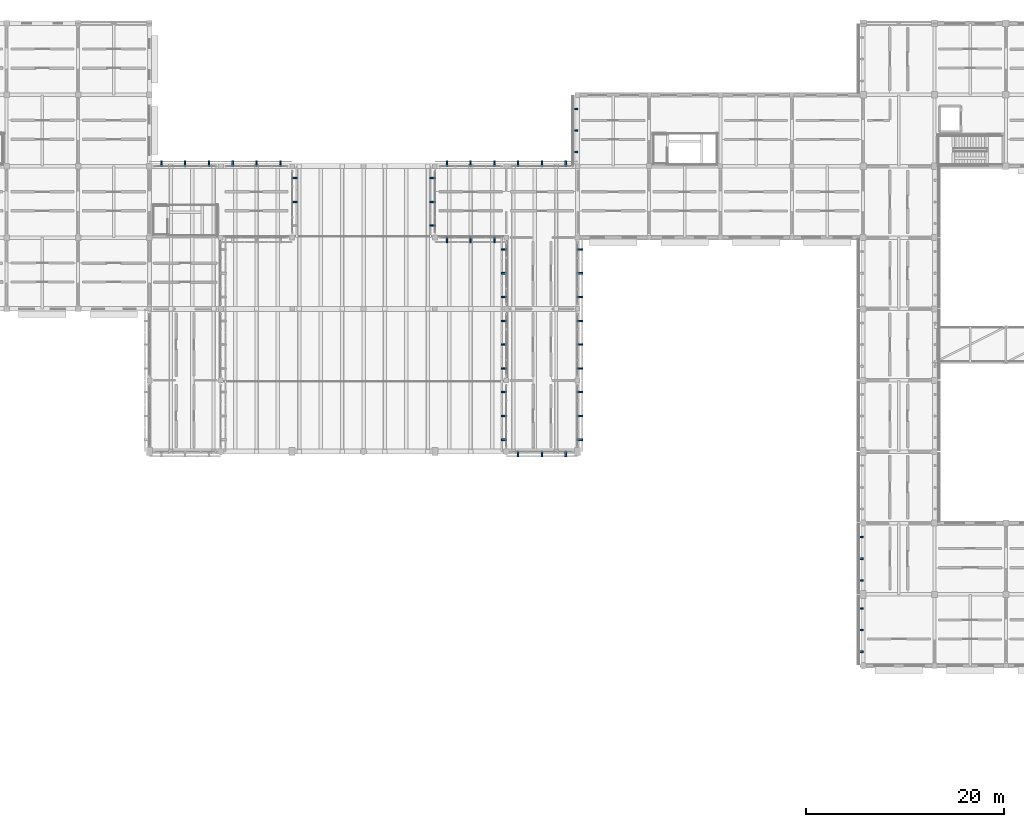
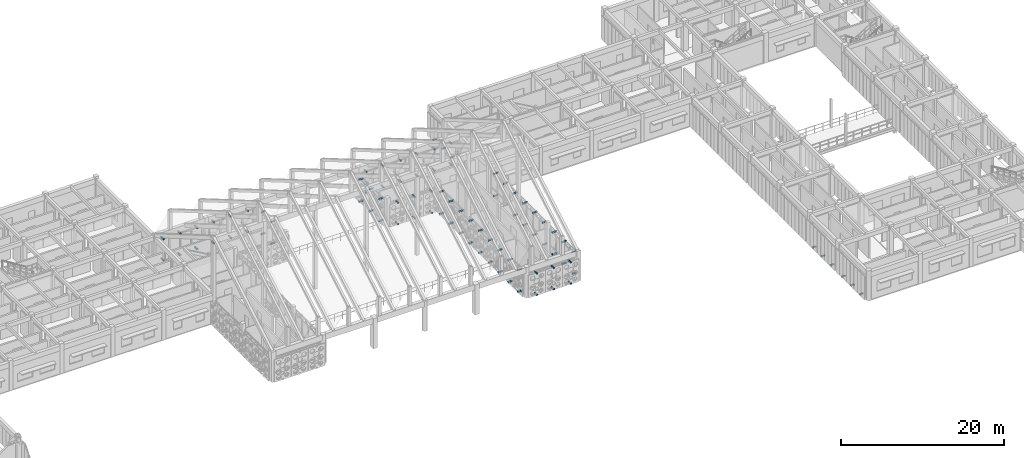
# One storey, part 145 of 171: 91 discrete accessories.
"""IFC4 building model written with IfcOpenShell, lengths in metres."""

from ifc_helpers import new_model, si_unit, direction, frame, origin, origin_2d, place, context, subcontext, project, spatial, rectangle, extrude, material, type_object, element, save


model = new_model("IFC4")

# Units and contexts
model_context = context("Model", 3, precision=1e-05, world=origin(), true_north=direction((0.0, 1.0)))
body_context = subcontext(model_context, "Body", "Model", "MODEL_VIEW")
ifc_project = project(units=[si_unit("LENGTHUNIT", "METRE"), si_unit("AREAUNIT", "SQUARE_METRE"), si_unit("VOLUMEUNIT", "CUBIC_METRE"), si_unit("PLANEANGLEUNIT", "RADIAN"), si_unit("MASSUNIT", "GRAM", prefix="KILO")], contexts=[model_context])

# Site, building, storey
site_placement = place(None, origin())
site = spatial("IfcSite", under=ifc_project, at=site_placement, CompositionType="ELEMENT")
building_placement = place(site_placement, origin())
building = spatial("IfcBuilding", under=site, at=building_placement, Name="Aldebral Square Health Centre", CompositionType="ELEMENT")
storey_placement = place(building_placement, frame((0.0, 0.0, 4.5)))
storey = spatial("IfcBuildingStorey", under=building, at=storey_placement, Name="L01", CompositionType="ELEMENT", Elevation=4.5)

# Discrete accessories
ifc_material = material(Name="Steel S355JR", Category="steel")
discrete_accessory_type_1 = type_object("IfcDiscreteAccessoryType", Name="ACC-BRK-1", PredefinedType="BRACKET", material=ifc_material)
for number, where, z_axis, x_axis, name in (
    (1, (107.77001953125, 106.583984375, -0.009765625), (0.0, 0.0, 1.0), (0.0, 1.0, 0.0), "L01 finned curtain-wall bracket L01-V5-15-14-W.1"),
    (2, (107.77001953125, 104.39990234375, -0.009765625), (0.0, 0.0, 1.0), (0.0, 1.0, 0.0), "L01 finned curtain-wall bracket L01-V5-15-14-W.2"),
    (3, (107.77001953125, 102.216064453125, -0.009765625), (0.0, 0.0, 1.0), (0.0, 1.0, 0.0), "L01 finned curtain-wall bracket L01-V5-15-14-W.3"),
    (4, (136.570068359375, 56.18408203125, -0.009765625), (0.0, 0.0, 1.0), (0.0, 1.0, 0.0), "L01 finned curtain-wall bracket L01-V5-19-07-W.1"),
    (5, (136.570068359375, 54.0, -0.009765625), (0.0, 0.0, 1.0), (0.0, 1.0, 0.0), "L01 finned curtain-wall bracket L01-V5-19-07-W.2"),
    (6, (136.570068359375, 51.81591796875, -0.009765625), (0.0, 0.0, 1.0), (0.0, 1.0, 0.0), "L01 finned curtain-wall bracket L01-V5-19-07-W.3"),
    (7, (136.570068359375, 63.384033203125, -0.009765625), (0.0, 0.0, 1.0), (0.0, 1.0, 0.0), "L01 finned curtain-wall bracket L01-V5-19-08-W.1"),
    (8, (136.570068359375, 61.199951171875, -0.009765625), (0.0, 0.0, 1.0), (0.0, 1.0, 0.0), "L01 finned curtain-wall bracket L01-V5-19-08-W.2"),
    (9, (136.570068359375, 59.01611328125, -0.009765625), (0.0, 0.0, 1.0), (0.0, 1.0, 0.0), "L01 finned curtain-wall bracket L01-V5-19-08-W.3"),
):
    element("IfcDiscreteAccessory", number, at=place(storey_placement, frame(where, z_axis=z_axis, x_axis=x_axis)), inside=storey, type_object=discrete_accessory_type_1, Name=name, PredefinedType="BRACKET", context=body_context, shape_type="SweptSolid", body=[
        extrude(rectangle(XDim=0.159912109375, YDim=0.52001953125, at=origin_2d()), origin(), (0.0, 0.0, 1.0), 0.139892578125),
    ])
discrete_accessory_type_2 = type_object("IfcDiscreteAccessoryType", Name="ACC-BRK-2", PredefinedType="BRACKET", material=ifc_material)
for number, where, z_axis, x_axis, name in (
    (10, (70.800048828125, 101.030029296875, 0.0), (0.0, 0.0, 1.0), (1.0, 0.0, 0.0), "L01 screen support bracket L01-V1-09-13-N.1 base"),
    (11, (70.800048828125, 101.030029296875, 3.18994140625), (0.0, 0.0, 1.0), (1.0, 0.0, 0.0), "L01 screen support bracket L01-V1-09-13-N.1 head"),
    (12, (68.39990234375, 101.030029296875, 0.0), (0.0, 0.0, 1.0), (1.0, 0.0, 0.0), "L01 screen support bracket L01-V1-09-13-N.2 base"),
    (13, (68.39990234375, 101.030029296875, 3.18994140625), (0.0, 0.0, 1.0), (1.0, 0.0, 0.0), "L01 screen support bracket L01-V1-09-13-N.2 head"),
    (14, (66.0, 101.030029296875, 0.0), (0.0, 0.0, 1.0), (1.0, 0.0, 0.0), "L01 screen support bracket L01-V1-09-13-N.3 base"),
    (15, (66.0, 101.030029296875, 3.18994140625), (0.0, 0.0, 1.0), (1.0, 0.0, 0.0), "L01 screen support bracket L01-V1-09-13-N.3 head"),
    (16, (78.0, 101.030029296875, 0.0), (0.0, 0.0, 1.0), (1.0, 0.0, 0.0), "L01 screen support bracket L01-V1-10-13-N.1 base"),
    (17, (78.0, 101.030029296875, 3.18994140625), (0.0, 0.0, 1.0), (1.0, 0.0, 0.0), "L01 screen support bracket L01-V1-10-13-N.1 head"),
    (18, (75.60009765625, 101.030029296875, 0.0), (0.0, 0.0, 1.0), (1.0, 0.0, 0.0), "L01 screen support bracket L01-V1-10-13-N.2 base"),
    (19, (75.60009765625, 101.030029296875, 3.18994140625), (0.0, 0.0, 1.0), (1.0, 0.0, 0.0), "L01 screen support bracket L01-V1-10-13-N.2 head"),
    (20, (73.199951171875, 101.030029296875, 0.0), (0.0, 0.0, 1.0), (1.0, 0.0, 0.0), "L01 screen support bracket L01-V1-10-13-N.3 base"),
    (21, (73.199951171875, 101.030029296875, 3.18994140625), (0.0, 0.0, 1.0), (1.0, 0.0, 0.0), "L01 screen support bracket L01-V1-10-13-N.3 head"),
    (22, (79.429931640625, 97.199951171875, 0.0), (0.0, 0.0, 1.0), (0.0, 1.0, 0.0), "L01 screen support bracket L01-V1-10-13-E.2 base"),
    (23, (79.429931640625, 97.199951171875, 3.2900390625), (0.0, 0.0, 1.0), (0.0, 1.0, 0.0), "L01 screen support bracket L01-V1-10-13-E.2 head"),
    (24, (79.429931640625, 99.60009765625, 0.0), (0.0, 0.0, 1.0), (0.0, 1.0, 0.0), "L01 screen support bracket L01-V1-10-13-E.3 base"),
    (25, (79.429931640625, 99.60009765625, 3.2900390625), (0.0, 0.0, 1.0), (0.0, 1.0, 0.0), "L01 screen support bracket L01-V1-10-13-E.3 head"),
    (26, (94.800048828125, 93.3701171875, 0.0), (0.0, 0.0, 1.0), (1.0, 0.0, 0.0), "L01 screen support bracket L01-V1-13-13-S.1 base"),
    (27, (94.800048828125, 93.3701171875, 3.18994140625), (0.0, 0.0, 1.0), (1.0, 0.0, 0.0), "L01 screen support bracket L01-V1-13-13-S.1 head"),
    (28, (97.199951171875, 93.3701171875, 0.0), (0.0, 0.0, 1.0), (1.0, 0.0, 0.0), "L01 screen support bracket L01-V1-13-13-S.2 base"),
    (29, (97.199951171875, 93.3701171875, 3.18994140625), (0.0, 0.0, 1.0), (1.0, 0.0, 0.0), "L01 screen support bracket L01-V1-13-13-S.2 head"),
    (30, (99.60009765625, 93.3701171875, 0.0), (0.0, 0.0, 1.0), (1.0, 0.0, 0.0), "L01 screen support bracket L01-V1-13-13-S.3 base"),
    (31, (99.60009765625, 93.3701171875, 3.18994140625), (0.0, 0.0, 1.0), (1.0, 0.0, 0.0), "L01 screen support bracket L01-V1-13-13-S.3 head"),
    (32, (99.60009765625, 101.030029296875, 0.0), (0.0, 0.0, 1.0), (1.0, 0.0, 0.0), "L01 screen support bracket L01-V1-13-13-N.1 base"),
    (33, (99.60009765625, 101.030029296875, 3.18994140625), (0.0, 0.0, 1.0), (1.0, 0.0, 0.0), "L01 screen support bracket L01-V1-13-13-N.1 head"),
    (34, (97.199951171875, 101.030029296875, 0.0), (0.0, 0.0, 1.0), (1.0, 0.0, 0.0), "L01 screen support bracket L01-V1-13-13-N.2 base"),
    (35, (97.199951171875, 101.030029296875, 3.18994140625), (0.0, 0.0, 1.0), (1.0, 0.0, 0.0), "L01 screen support bracket L01-V1-13-13-N.2 head"),
    (36, (94.800048828125, 101.030029296875, 0.0), (0.0, 0.0, 1.0), (1.0, 0.0, 0.0), "L01 screen support bracket L01-V1-13-13-N.3 base"),
    (37, (94.800048828125, 101.030029296875, 3.18994140625), (0.0, 0.0, 1.0), (1.0, 0.0, 0.0), "L01 screen support bracket L01-V1-13-13-N.3 head"),
    (38, (93.3701171875, 99.60009765625, 0.0), (0.0, 0.0, 1.0), (0.0, 1.0, 0.0), "L01 screen support bracket L01-V1-13-13-W.1 base"),
    (39, (93.3701171875, 99.60009765625, 3.2900390625), (0.0, 0.0, 1.0), (0.0, 1.0, 0.0), "L01 screen support bracket L01-V1-13-13-W.1 head"),
    (40, (93.3701171875, 97.199951171875, 0.0), (0.0, 0.0, 1.0), (0.0, 1.0, 0.0), "L01 screen support bracket L01-V1-13-13-W.2 base"),
    (41, (93.3701171875, 97.199951171875, 3.2900390625), (0.0, 0.0, 1.0), (0.0, 1.0, 0.0), "L01 screen support bracket L01-V1-13-13-W.2 head"),
    (42, (93.3701171875, 94.800048828125, 0.0), (0.0, 0.0, 1.0), (0.0, 1.0, 0.0), "L01 screen support bracket L01-V1-13-13-W.3 base"),
    (43, (93.3701171875, 94.800048828125, 3.2900390625), (0.0, 0.0, 1.0), (0.0, 1.0, 0.0), "L01 screen support bracket L01-V1-13-13-W.3 head"),
    (44, (102.0, 71.77001953125, 0.0), (0.0, 0.0, 1.0), (1.0, 0.0, 0.0), "L01 screen support bracket L01-V1-14-10-S.1 base"),
    (45, (102.0, 71.77001953125, 3.18994140625), (0.0, 0.0, 1.0), (1.0, 0.0, 0.0), "L01 screen support bracket L01-V1-14-10-S.1 head"),
    (46, (104.39990234375, 71.77001953125, 0.0), (0.0, 0.0, 1.0), (1.0, 0.0, 0.0), "L01 screen support bracket L01-V1-14-10-S.2 base"),
    (47, (104.39990234375, 71.77001953125, 3.18994140625), (0.0, 0.0, 1.0), (1.0, 0.0, 0.0), "L01 screen support bracket L01-V1-14-10-S.2 head"),
    (48, (106.800048828125, 71.77001953125, 0.0), (0.0, 0.0, 1.0), (1.0, 0.0, 0.0), "L01 screen support bracket L01-V1-14-10-S.3 base"),
    (49, (106.800048828125, 71.77001953125, 3.18994140625), (0.0, 0.0, 1.0), (1.0, 0.0, 0.0), "L01 screen support bracket L01-V1-14-10-S.3 head"),
    (50, (100.570068359375, 78.0, 0.0), (0.0, 0.0, 1.0), (0.0, 1.0, 0.0), "L01 screen support bracket L01-V1-14-10-W.1 base"),
    (51, (100.570068359375, 78.0, 3.2900390625), (0.0, 0.0, 1.0), (0.0, 1.0, 0.0), "L01 screen support bracket L01-V1-14-10-W.1 head"),
    (52, (100.570068359375, 75.60009765625, 0.0), (0.0, 0.0, 1.0), (0.0, 1.0, 0.0), "L01 screen support bracket L01-V1-14-10-W.2 base"),
    (53, (100.570068359375, 75.60009765625, 3.2900390625), (0.0, 0.0, 1.0), (0.0, 1.0, 0.0), "L01 screen support bracket L01-V1-14-10-W.2 head"),
    (54, (100.570068359375, 73.199951171875, 0.0), (0.0, 0.0, 1.0), (0.0, 1.0, 0.0), "L01 screen support bracket L01-V1-14-10-W.3 base"),
    (55, (100.570068359375, 73.199951171875, 3.2900390625), (0.0, 0.0, 1.0), (0.0, 1.0, 0.0), "L01 screen support bracket L01-V1-14-10-W.3 head"),
    (56, (108.22998046875, 73.199951171875, 0.0), (0.0, 0.0, 1.0), (0.0, 1.0, 0.0), "L01 screen support bracket L01-V1-14-10-E.1 base"),
    (57, (108.22998046875, 73.199951171875, 3.2900390625), (0.0, 0.0, 1.0), (0.0, 1.0, 0.0), "L01 screen support bracket L01-V1-14-10-E.1 head"),
    (58, (108.22998046875, 75.60009765625, 0.0), (0.0, 0.0, 1.0), (0.0, 1.0, 0.0), "L01 screen support bracket L01-V1-14-10-E.2 base"),
    (59, (108.22998046875, 75.60009765625, 3.2900390625), (0.0, 0.0, 1.0), (0.0, 1.0, 0.0), "L01 screen support bracket L01-V1-14-10-E.2 head"),
    (60, (108.22998046875, 78.0, 0.0), (0.0, 0.0, 1.0), (0.0, 1.0, 0.0), "L01 screen support bracket L01-V1-14-10-E.3 base"),
    (61, (108.22998046875, 78.0, 3.2900390625), (0.0, 0.0, 1.0), (0.0, 1.0, 0.0), "L01 screen support bracket L01-V1-14-10-E.3 head"),
    (62, (100.570068359375, 85.199951171875, 0.0), (0.0, 0.0, 1.0), (0.0, 1.0, 0.0), "L01 screen support bracket L01-V1-14-11-W.1 base"),
    (63, (100.570068359375, 85.199951171875, 3.2900390625), (0.0, 0.0, 1.0), (0.0, 1.0, 0.0), "L01 screen support bracket L01-V1-14-11-W.1 head"),
    (64, (100.570068359375, 82.800048828125, 0.0), (0.0, 0.0, 1.0), (0.0, 1.0, 0.0), "L01 screen support bracket L01-V1-14-11-W.2 base"),
    (65, (100.570068359375, 82.800048828125, 3.2900390625), (0.0, 0.0, 1.0), (0.0, 1.0, 0.0), "L01 screen support bracket L01-V1-14-11-W.2 head"),
    (66, (100.570068359375, 80.39990234375, 0.0), (0.0, 0.0, 1.0), (0.0, 1.0, 0.0), "L01 screen support bracket L01-V1-14-11-W.3 base"),
    (67, (100.570068359375, 80.39990234375, 3.2900390625), (0.0, 0.0, 1.0), (0.0, 1.0, 0.0), "L01 screen support bracket L01-V1-14-11-W.3 head"),
    (68, (108.22998046875, 80.39990234375, 0.0), (0.0, 0.0, 1.0), (0.0, 1.0, 0.0), "L01 screen support bracket L01-V1-14-11-E.1 base"),
    (69, (108.22998046875, 80.39990234375, 3.2900390625), (0.0, 0.0, 1.0), (0.0, 1.0, 0.0), "L01 screen support bracket L01-V1-14-11-E.1 head"),
    (70, (108.22998046875, 82.800048828125, 0.0), (0.0, 0.0, 1.0), (0.0, 1.0, 0.0), "L01 screen support bracket L01-V1-14-11-E.2 base"),
    (71, (108.22998046875, 82.800048828125, 3.2900390625), (0.0, 0.0, 1.0), (0.0, 1.0, 0.0), "L01 screen support bracket L01-V1-14-11-E.2 head"),
    (72, (108.22998046875, 85.199951171875, 0.0), (0.0, 0.0, 1.0), (0.0, 1.0, 0.0), "L01 screen support bracket L01-V1-14-11-E.3 base"),
    (73, (108.22998046875, 85.199951171875, 3.2900390625), (0.0, 0.0, 1.0), (0.0, 1.0, 0.0), "L01 screen support bracket L01-V1-14-11-E.3 head"),
    (74, (100.570068359375, 92.39990234375, 0.0), (0.0, 0.0, 1.0), (0.0, 1.0, 0.0), "L01 screen support bracket L01-V1-14-12-W.1 base"),
    (75, (100.570068359375, 92.39990234375, 3.2900390625), (0.0, 0.0, 1.0), (0.0, 1.0, 0.0), "L01 screen support bracket L01-V1-14-12-W.1 head"),
    (76, (100.570068359375, 90.0, 0.0), (0.0, 0.0, 1.0), (0.0, 1.0, 0.0), "L01 screen support bracket L01-V1-14-12-W.2 base"),
    (77, (100.570068359375, 90.0, 3.2900390625), (0.0, 0.0, 1.0), (0.0, 1.0, 0.0), "L01 screen support bracket L01-V1-14-12-W.2 head"),
    (78, (100.570068359375, 87.60009765625, 0.0), (0.0, 0.0, 1.0), (0.0, 1.0, 0.0), "L01 screen support bracket L01-V1-14-12-W.3 base"),
    (79, (100.570068359375, 87.60009765625, 3.2900390625), (0.0, 0.0, 1.0), (0.0, 1.0, 0.0), "L01 screen support bracket L01-V1-14-12-W.3 head"),
    (80, (108.22998046875, 87.60009765625, 0.0), (0.0, 0.0, 1.0), (0.0, 1.0, 0.0), "L01 screen support bracket L01-V1-14-12-E.1 base"),
    (81, (108.22998046875, 87.60009765625, 3.2900390625), (0.0, 0.0, 1.0), (0.0, 1.0, 0.0), "L01 screen support bracket L01-V1-14-12-E.1 head"),
    (82, (108.22998046875, 90.0, 0.0), (0.0, 0.0, 1.0), (0.0, 1.0, 0.0), "L01 screen support bracket L01-V1-14-12-E.2 base"),
    (83, (108.22998046875, 90.0, 3.2900390625), (0.0, 0.0, 1.0), (0.0, 1.0, 0.0), "L01 screen support bracket L01-V1-14-12-E.2 head"),
    (84, (108.22998046875, 92.39990234375, 0.0), (0.0, 0.0, 1.0), (0.0, 1.0, 0.0), "L01 screen support bracket L01-V1-14-12-E.3 base"),
    (85, (108.22998046875, 92.39990234375, 3.2900390625), (0.0, 0.0, 1.0), (0.0, 1.0, 0.0), "L01 screen support bracket L01-V1-14-12-E.3 head"),
    (86, (106.800048828125, 101.030029296875, 0.0), (0.0, 0.0, 1.0), (1.0, 0.0, 0.0), "L01 screen support bracket L01-V1-14-13-N.1 base"),
    (87, (106.800048828125, 101.030029296875, 3.18994140625), (0.0, 0.0, 1.0), (1.0, 0.0, 0.0), "L01 screen support bracket L01-V1-14-13-N.1 head"),
    (88, (104.39990234375, 101.030029296875, 0.0), (0.0, 0.0, 1.0), (1.0, 0.0, 0.0), "L01 screen support bracket L01-V1-14-13-N.2 base"),
    (89, (104.39990234375, 101.030029296875, 3.18994140625), (0.0, 0.0, 1.0), (1.0, 0.0, 0.0), "L01 screen support bracket L01-V1-14-13-N.2 head"),
    (90, (102.0, 101.030029296875, 0.0), (0.0, 0.0, 1.0), (1.0, 0.0, 0.0), "L01 screen support bracket L01-V1-14-13-N.3 base"),
    (91, (102.0, 101.030029296875, 3.18994140625), (0.0, 0.0, 1.0), (1.0, 0.0, 0.0), "L01 screen support bracket L01-V1-14-13-N.3 head"),
):
    element("IfcDiscreteAccessory", number, at=place(storey_placement, frame(where, z_axis=z_axis, x_axis=x_axis)), inside=storey, type_object=discrete_accessory_type_2, Name=name, PredefinedType="BRACKET", context=body_context, shape_type="SweptSolid", body=[
        extrude(rectangle(XDim=0.159912109375, YDim=0.60009765625, at=origin_2d()), origin(), (0.0, 0.0, 1.0), 0.179931640625),
    ])

save(model, "model.ifc")
